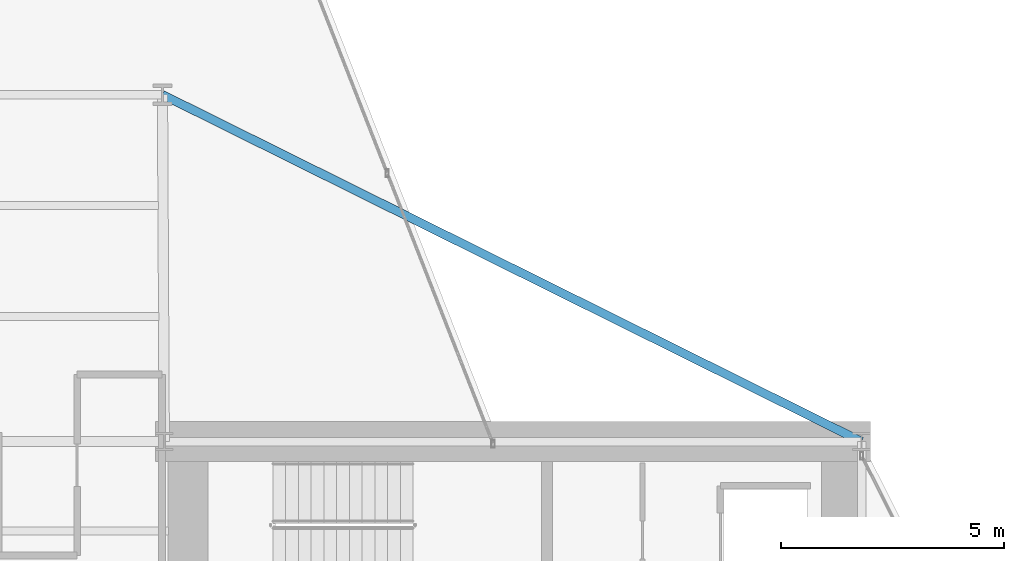
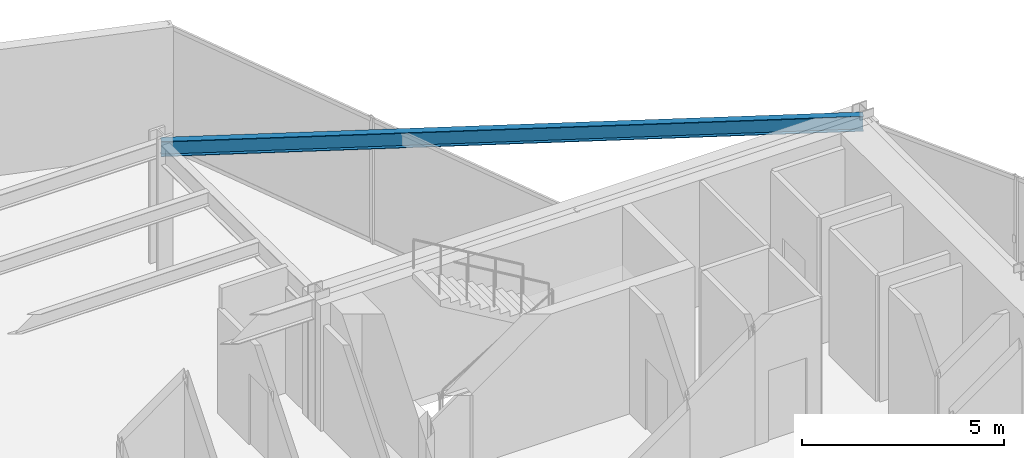
# One storey, part 22 of 30: 1 beam.
"""IFC4 building model written with IfcOpenShell, lengths in metres."""

from ifc_helpers import new_model, si_unit, direction, frame, origin, origin_2d, place, context, subcontext, project, spatial, i_section, extrude, material, material_profile, profile_set, type_object, element, save


model = new_model("IFC4")

# Units and contexts
model_context = context("Model", 3, precision=1e-05, world=origin(), true_north=direction((0.0, 1.0)))
body_context = subcontext(model_context, "Body", "Model", "MODEL_VIEW")
ifc_project = project(units=[si_unit("LENGTHUNIT", "METRE"), si_unit("AREAUNIT", "SQUARE_METRE"), si_unit("VOLUMEUNIT", "CUBIC_METRE"), si_unit("PLANEANGLEUNIT", "RADIAN"), si_unit("MASSUNIT", "GRAM", prefix="KILO")], contexts=[model_context])

# Site, building, storey
site_placement = place(None, origin())
site = spatial("IfcSite", under=ifc_project, at=site_placement, CompositionType="ELEMENT")
building_placement = place(site_placement, origin())
building = spatial("IfcBuilding", under=site, at=building_placement, Name="Veymaron Broadcast Tower", CompositionType="ELEMENT")
storey_placement = place(building_placement, frame((0.0, 0.0, 49.949951171875)))
storey = spatial("IfcBuildingStorey", under=building, at=storey_placement, Name="L10", CompositionType="ELEMENT", Elevation=49.949951171875)

# Beam
ifc_material = material(Name="Structural steel ASTM A992 Gr 50", Category="steel")
ifc_material_profile = material_profile(ifc_material, i_section(OverallWidth=0.19091796875, OverallDepth=0.4599609375, WebThickness=0.010009765625, FlangeThickness=0.01611328125, at=origin_2d()), Name="W460X82")
ifc_profile_set = profile_set([ifc_material_profile], Name="Structural steel ASTM A992 Gr 50")
beam_type = type_object("IfcBeamType", Name="BM-SP1", PredefinedType="SPANDREL", material=ifc_profile_set)
beam_placement = place(storey_placement, frame((54.60009765625, 32.0, 3.580078125), z_axis=(-0.895798915405, 0.444459563019, 0.0), x_axis=(-0.444459563019, -0.895798915405, 0.0)))
element("IfcBeam", 1, at=beam_placement, inside=storey, type_object=beam_type, Name="L10 primary structural floor girder", PredefinedType="SPANDREL", context=body_context, shape_type="SweptSolid", body=[
    extrude(i_section(OverallWidth=0.19091796875, OverallDepth=0.4599609375, WebThickness=0.010009765625, FlangeThickness=0.01611328125, at=origin_2d()), origin(), (0.0, 0.0, 1.0), 17.45947265625),
])

save(model, "model.ifc")
